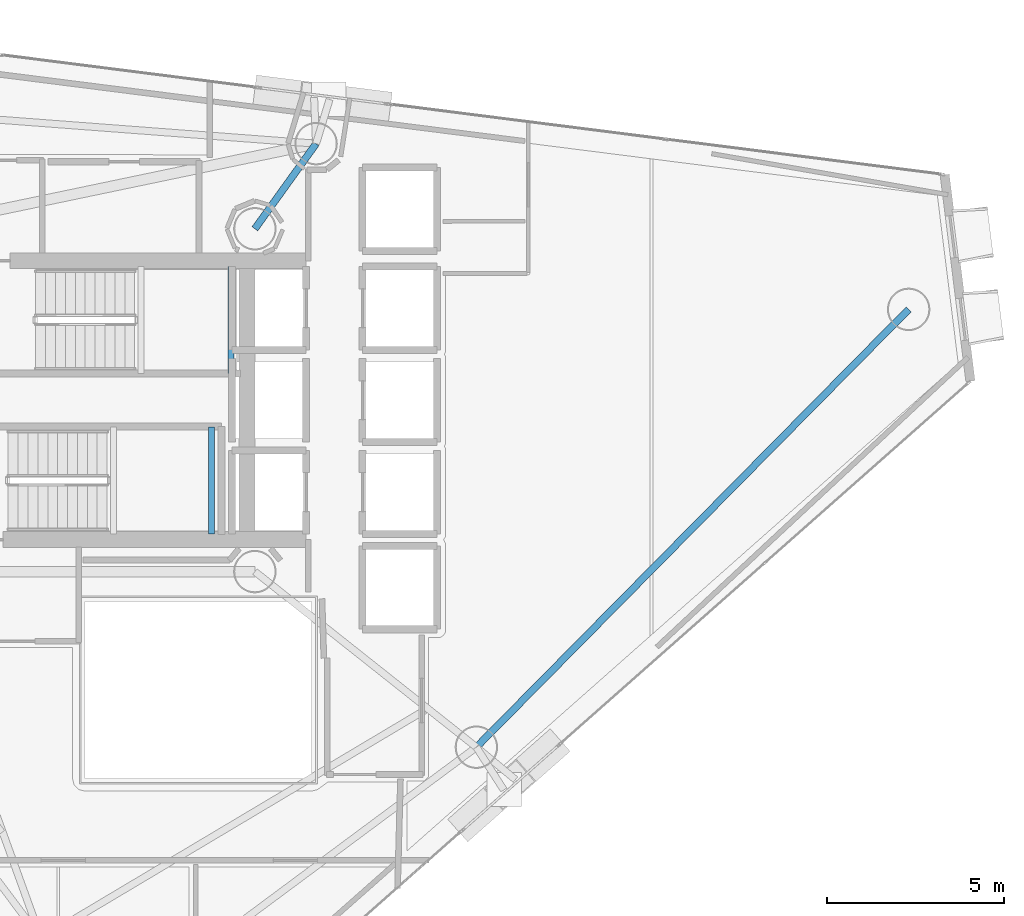
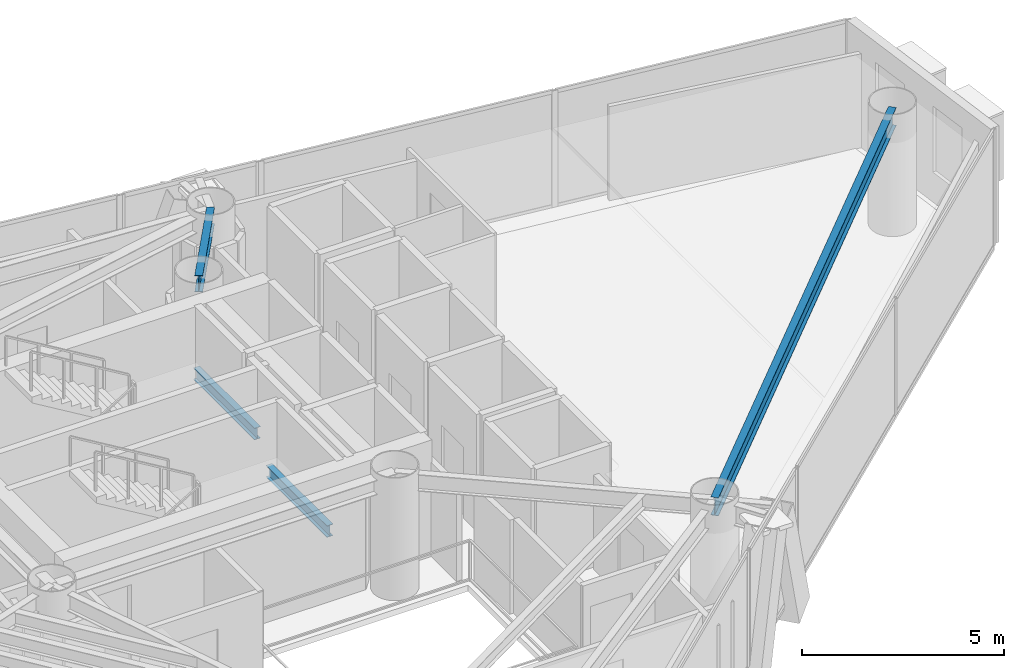
# One storey, part 13 of 23: 4 beams.
"""IFC4 building model written with IfcOpenShell, lengths in metres."""

from ifc_helpers import new_model, si_unit, direction, frame, origin, origin_2d, place, context, subcontext, project, spatial, i_section, extrude, material, material_profile, profile_set, type_object, element, save


model = new_model("IFC4")

# Units and contexts
model_context = context("Model", 3, precision=1e-05, world=origin(), true_north=direction((0.0, 1.0)))
body_context = subcontext(model_context, "Body", "Model", "MODEL_VIEW")
ifc_project = project(units=[si_unit("LENGTHUNIT", "METRE"), si_unit("AREAUNIT", "SQUARE_METRE"), si_unit("VOLUMEUNIT", "CUBIC_METRE"), si_unit("PLANEANGLEUNIT", "RADIAN"), si_unit("MASSUNIT", "GRAM", prefix="KILO")], contexts=[model_context])

# Site, building, storey
site_placement = place(None, origin())
site = spatial("IfcSite", under=ifc_project, at=site_placement, CompositionType="ELEMENT")
building_placement = place(site_placement, origin())
building = spatial("IfcBuilding", under=site, at=building_placement, Name="Qianvela Tower", CompositionType="ELEMENT")
storey_placement = place(building_placement, frame((0.0, 0.0, 218.800048828125)))
storey = spatial("IfcBuildingStorey", under=building, at=storey_placement, Name="L56", CompositionType="ELEMENT", Elevation=218.800048828125)

# Beams
ifc_material_1 = material(Name="Steel Q355B", Category="steel")
ifc_material_profile_1 = material_profile(ifc_material_1, i_section(OverallWidth=0.175048828125, OverallDepth=0.35009765625, WebThickness=0.007080078125, FlangeThickness=0.010986328125, at=origin_2d()), Name="HN350x175x7x11")
ifc_profile_set_1 = profile_set([ifc_material_profile_1], Name="Steel Q355B")
beam_type_1 = type_object("IfcBeamType", Name="BM-HN350-JOIST", PredefinedType="JOIST", material=ifc_profile_set_1)
for number, where, z_axis, x_axis, name in (
    (1, (37.719970703125, 29.4599609375, 1.474853515625), (0.0, 1.0, 0.0), (-1.0, 0.0, 0.0), "L56 Stair ST-1 Landing Support Beam 1.2"),
    (2, (37.169921875, 24.919921875, 1.474853515625), (0.0, 1.0, 0.0), (-1.0, 0.0, 0.0), "L56 Stair ST-2 Landing Support Beam 1.2"),
):
    element("IfcBeam", number, at=place(storey_placement, frame(where, z_axis=z_axis, x_axis=x_axis)), inside=storey, type_object=beam_type_1, Name=name, PredefinedType="JOIST", context=body_context, shape_type="SweptSolid", body=[
        extrude(i_section(OverallWidth=0.175048828125, OverallDepth=0.35009765625, WebThickness=0.007080078125, FlangeThickness=0.010986328125, at=origin_2d()), origin(), (0.0, 0.0, 1.0), 3.02001953125),
    ])
ifc_material_2 = material(Name="Steel Q355B", Category="steel")
ifc_material_profile_2 = material_profile(ifc_material_2, i_section(OverallWidth=0.199951171875, OverallDepth=0.5, WebThickness=0.010009765625, FlangeThickness=0.01611328125, at=origin_2d()), Name="HN500x200x10x16")
ifc_profile_set_2 = profile_set([ifc_material_profile_2], Name="Steel Q355B")
beam_type_2 = type_object("IfcBeamType", Name="BM-HN500-GIRD", PredefinedType="BEAM", material=ifc_profile_set_2)
beam_1_placement = place(storey_placement, frame((38.39990234375, 33.550048828125, 3.26806640625), z_axis=(0.583742907536, 0.811938555496, 0.0), x_axis=(-0.811938555496, 0.583742907536, 0.0)))
element("IfcBeam", 3, at=beam_1_placement, inside=storey, type_object=beam_type_2, Name="L56 Radial Primary Floor Girder 2", PredefinedType="BEAM", context=body_context, shape_type="SweptSolid", body=[
    extrude(i_section(OverallWidth=0.199951171875, OverallDepth=0.5, WebThickness=0.010009765625, FlangeThickness=0.01611328125, at=origin_2d()), origin(), (0.0, 0.0, 1.0), 2.965576171875),
])
ifc_material_3 = material(Name="Steel Q355B", Category="steel")
ifc_material_profile_3 = material_profile(ifc_material_3, i_section(OverallWidth=0.199951171875, OverallDepth=0.550048828125, WebThickness=0.010009765625, FlangeThickness=0.01611328125, at=origin_2d()), Name="HN550x200x10x16")
ifc_profile_set_3 = profile_set([ifc_material_profile_3], Name="Steel Q355B")
beam_type_3 = type_object("IfcBeamType", Name="BM-HN550-GIRD", PredefinedType="BEAM", material=ifc_profile_set_3)
beam_2_placement = place(storey_placement, frame((44.6669921875, 18.883056640625, 3.242919921875), z_axis=(0.702583270685, 0.711601537205, 0.0), x_axis=(-0.711601537205, 0.702583270685, 0.0)))
element("IfcBeam", 4, at=beam_2_placement, inside=storey, type_object=beam_type_3, Name="L56 Perimeter Ring Spandrel Girder 6", PredefinedType="BEAM", context=body_context, shape_type="SweptSolid", body=[
    extrude(i_section(OverallWidth=0.199951171875, OverallDepth=0.550048828125, WebThickness=0.010009765625, FlangeThickness=0.01611328125, at=origin_2d()), origin(), (0.0, 0.0, 1.0), 17.4072265625),
])

save(model, "model.ifc")
